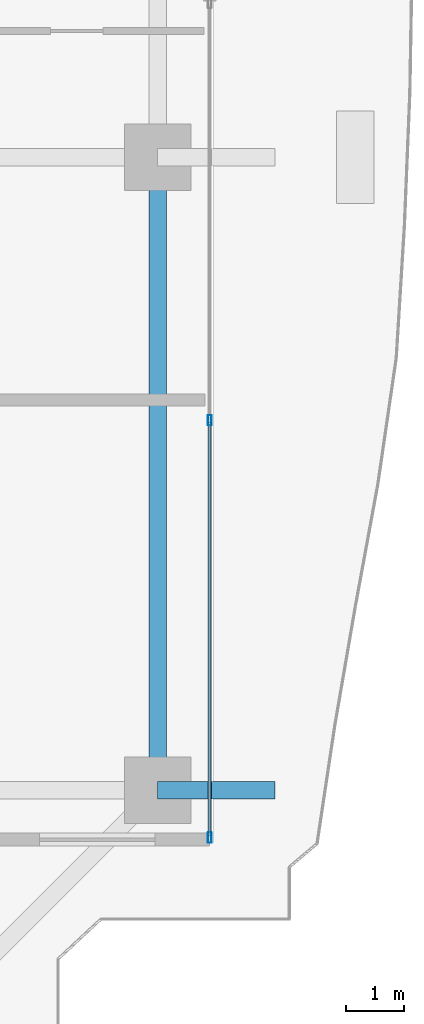
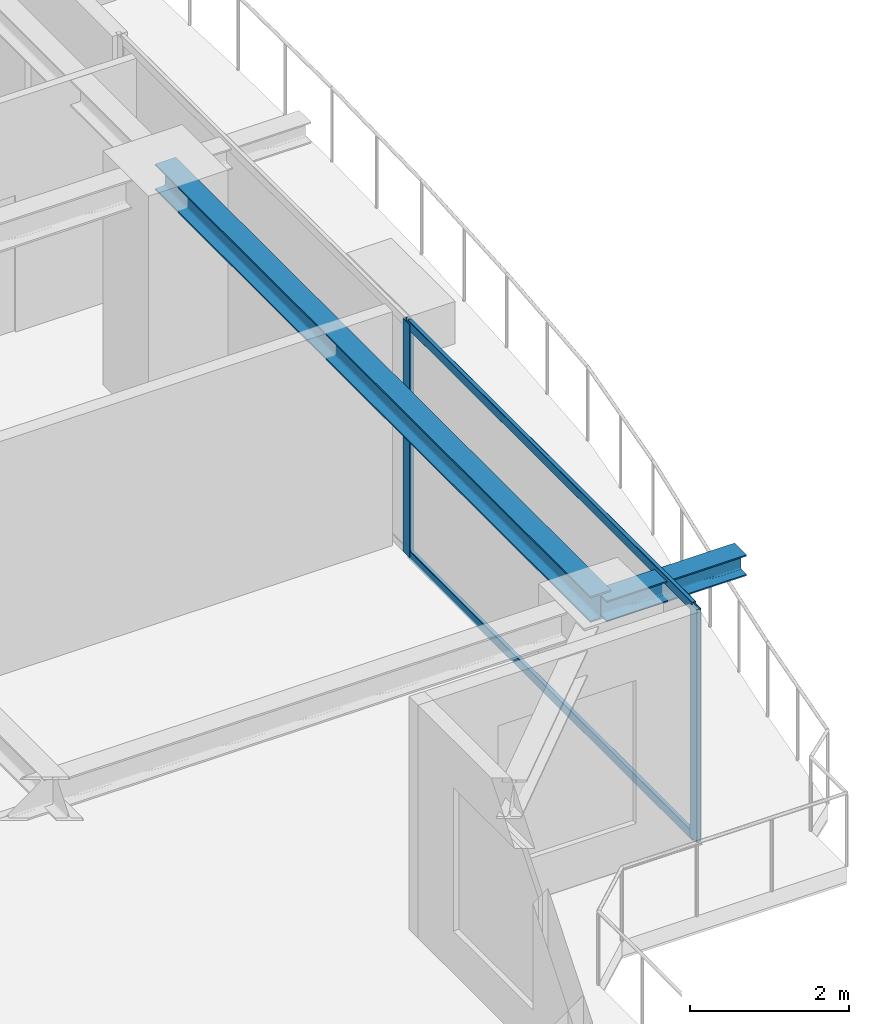
# One storey, part 13 of 37: 4 members, 2 beams, 1 element without a shape of its own.
"""IFC4 building model written with IfcOpenShell, lengths in metres."""

from ifc_helpers import new_model, si_unit, direction, frame, origin, origin_2d, place, context, subcontext, project, spatial, hollow_rectangle, i_section, extrude, source, transform, mapped, material, layer, layer_set, material_profile, profile_set, type_object, element, aggregate, save


model = new_model("IFC4")

# Units and contexts
model_context = context("Model", 3, precision=1e-05, world=origin(), true_north=direction((0.0, 1.0)))
body_context = subcontext(model_context, "Body", "Model", "MODEL_VIEW")
ifc_project = project(units=[si_unit("LENGTHUNIT", "METRE"), si_unit("AREAUNIT", "SQUARE_METRE"), si_unit("VOLUMEUNIT", "CUBIC_METRE"), si_unit("PLANEANGLEUNIT", "RADIAN"), si_unit("MASSUNIT", "GRAM", prefix="KILO")], contexts=[model_context])

# Site, building, storey
site_placement = place(None, origin())
site = spatial("IfcSite", under=ifc_project, at=site_placement, CompositionType="ELEMENT")
building_placement = place(site_placement, origin())
building = spatial("IfcBuilding", under=site, at=building_placement, Name="Serunith Strait Residences", CompositionType="ELEMENT")
storey_placement = place(building_placement, frame((0.0, 0.0, 248.949951171875)))
storey = spatial("IfcBuildingStorey", under=building, at=storey_placement, Name="L62", CompositionType="ELEMENT", Elevation=248.949951171875)

# Beams
ifc_material_1 = material(Name="Steel S355J2", Category="steel")
ifc_material_profile_1 = material_profile(ifc_material_1, i_section(OverallWidth=0.300048828125, OverallDepth=0.39990234375, WebThickness=0.013427734375, FlangeThickness=0.02392578125, FilletRadius=0.027099609375, at=origin_2d()), Name="HEB 400")
ifc_profile_set_1 = profile_set([ifc_material_profile_1], Name="Steel S355J2")
beam_type_1 = type_object("IfcBeamType", Name="BM-HEB400", PredefinedType="BEAM", material=ifc_profile_set_1)
shared_shape_1 = source(origin(), body_context, "Body", "SweptSolid", [
    extrude(i_section(OverallWidth=0.300048828125, OverallDepth=0.39990234375, WebThickness=0.013427734375, FlangeThickness=0.02392578125, FilletRadius=0.027099609375, at=origin_2d()), origin(), (0.0, 0.0, 1.0), 10.949951171875),
])
beam_1_placement = place(storey_placement, frame((56.5, 10.050048828125, 3.386962890625), z_axis=(0.0, 1.0, 0.0), x_axis=(-1.0, 0.0, 0.0)))
element("IfcBeam", 1, at=beam_1_placement, inside=storey, type_object=beam_type_1, Name="L62 Perimeter Ring Beam 05", PredefinedType="BEAM", context=body_context, shape_type="MappedRepresentation", body=[
    mapped(shared_shape_1, transform((0.0, 0.0, 0.0), scale=1.0)),
])
ifc_material_profile_2 = material_profile(ifc_material_1, i_section(OverallWidth=0.300048828125, OverallDepth=0.320068359375, WebThickness=0.011474609375, FlangeThickness=0.0205078125, FilletRadius=0.027099609375, at=origin_2d()), Name="HEB 320")
ifc_profile_set_2 = profile_set([ifc_material_profile_2], Name="Steel S355J2")
beam_type_2 = type_object("IfcBeamType", Name="BM-HEB320", PredefinedType="BEAM", material=ifc_profile_set_2)
shared_shape_2 = source(origin(), body_context, "Body", "SweptSolid", [
    extrude(i_section(OverallWidth=0.300048828125, OverallDepth=0.320068359375, WebThickness=0.011474609375, FlangeThickness=0.0205078125, FilletRadius=0.027099609375, at=origin_2d()), origin(), (0.0, 0.0, 1.0), 2.030029296875),
])
beam_2_placement = place(storey_placement, frame((56.5, 10.050048828125, 3.39697265625), z_axis=(1.0, 0.0, 0.0), x_axis=(0.0, 1.0, 0.0)))
element("IfcBeam", 2, at=beam_2_placement, inside=storey, type_object=beam_type_2, Name="L63 Cantilevered Balcony Rib TC-E1", PredefinedType="BEAM", context=body_context, shape_type="MappedRepresentation", body=[
    mapped(shared_shape_2, transform((0.0, 0.0, 0.0), scale=1.0)),
])

# Curtain wall, members
ifc_material_2 = material(Name="Pale-Champagne Anodised Aluminium", Category="aluminium")
ifc_layer = layer(ifc_material_2, 0.199951171875, Name="Pale-Champagne Anodised Aluminium")
ifc_layer_set = layer_set([ifc_layer], Name="Pale-Champagne Anodised Aluminium")
curtain_wall_type = type_object("IfcCurtainWallType", Name="CW-SYS4", PredefinedType="NOTDEFINED", material=ifc_layer_set)
curtain_wall_placement = place(storey_placement, origin())
curtain_wall = element("IfcCurtainWall", 3, at=curtain_wall_placement, inside=storey, type_object=curtain_wall_type, Name="L62 E Unitised Fritted Curtain Wall", PredefinedType="NOTDEFINED")
ifc_material_profile_3 = material_profile(ifc_material_2, hollow_rectangle(XDim=0.06494140625, YDim=0.179931640625, WallThickness=0.00341796875, InnerFilletRadius=0.00537109375, OuterFilletRadius=0.0087890625, at=origin_2d()), Name="ALU 180x65x3.5")
ifc_profile_set_3 = profile_set([ifc_material_profile_3], Name="Pale-Champagne Anodised Aluminium")
member_type_1 = type_object("IfcMemberType", Name="CW-SYS4-MULL", PredefinedType="MULLION", material=ifc_profile_set_3)
shared_shape_3 = source(origin(), body_context, "Body", "SweptSolid", [
    extrude(hollow_rectangle(XDim=0.06494140625, YDim=0.179931640625, WallThickness=0.00341796875, InnerFilletRadius=0.00537109375, OuterFilletRadius=0.0087890625, at=origin_2d()), origin(), (0.0, 0.0, 1.0), 3.574951171875),
])
member_1_placement = place(storey_placement, frame((57.39990234375, 9.232421875, 0.0), z_axis=(0.0, 0.0, 1.0), x_axis=(-1.0, 0.0, 0.0)))
member_1 = element("IfcMember", 4, at=member_1_placement, type_object=member_type_1, Name="CW-4 mullion 1", PredefinedType="MULLION", context=body_context, shape_type="MappedRepresentation", body=[
    mapped(shared_shape_3, transform((0.0, 0.0, 0.0), scale=1.0)),
])
member_2_placement = place(storey_placement, frame((57.39990234375, 16.449951171875, 0.0), z_axis=(0.0, 0.0, 1.0), x_axis=(-1.0, 0.0, 0.0)))
member_2 = element("IfcMember", 5, at=member_2_placement, type_object=member_type_1, Name="CW-4 mullion 2", PredefinedType="MULLION", context=body_context, shape_type="MappedRepresentation", body=[
    mapped(shared_shape_3, transform((0.0, 0.0, 0.0), scale=1.0)),
])
ifc_material_profile_4 = material_profile(ifc_material_2, hollow_rectangle(XDim=0.06005859375, YDim=0.139892578125, WallThickness=0.00341796875, InnerFilletRadius=0.00537109375, OuterFilletRadius=0.0087890625, at=origin_2d()), Name="ALU 140x60x3.5")
ifc_profile_set_4 = profile_set([ifc_material_profile_4], Name="Pale-Champagne Anodised Aluminium")
member_type_2 = type_object("IfcMemberType", Name="CW-SYS4-TRAN", PredefinedType="USERDEFINED", material=ifc_profile_set_4)
shared_shape_4 = source(origin(), body_context, "Body", "SweptSolid", [
    extrude(hollow_rectangle(XDim=0.06005859375, YDim=0.139892578125, WallThickness=0.00341796875, InnerFilletRadius=0.00537109375, OuterFilletRadius=0.0087890625, at=origin_2d()), origin(), (0.0, 0.0, 1.0), 7.152587890625),
])
member_3_placement = place(storey_placement, frame((57.39990234375, 9.264892578125, 0.030029296875), z_axis=(0.0, 1.0, 0.0), x_axis=(-1.0, 0.0, 0.0)))
member_3 = element("IfcMember", 6, at=member_3_placement, type_object=member_type_2, Name="CW-4 transom 1.1", ObjectType="TRANSOM", PredefinedType="USERDEFINED", context=body_context, shape_type="MappedRepresentation", body=[
    mapped(shared_shape_4, transform((0.0, 0.0, 0.0), scale=1.0)),
])
member_4_placement = place(storey_placement, frame((57.39990234375, 9.264892578125, 3.545166015625), z_axis=(0.0, 1.0, 0.0), x_axis=(-1.0, 0.0, 0.0)))
member_4 = element("IfcMember", 7, at=member_4_placement, type_object=member_type_2, Name="CW-4 transom 1.2", ObjectType="TRANSOM", PredefinedType="USERDEFINED", context=body_context, shape_type="MappedRepresentation", body=[
    mapped(shared_shape_4, transform((0.0, 0.0, 0.0), scale=1.0)),
])
aggregate(curtain_wall, [member_1, member_2, member_3, member_4])

save(model, "model.ifc")
